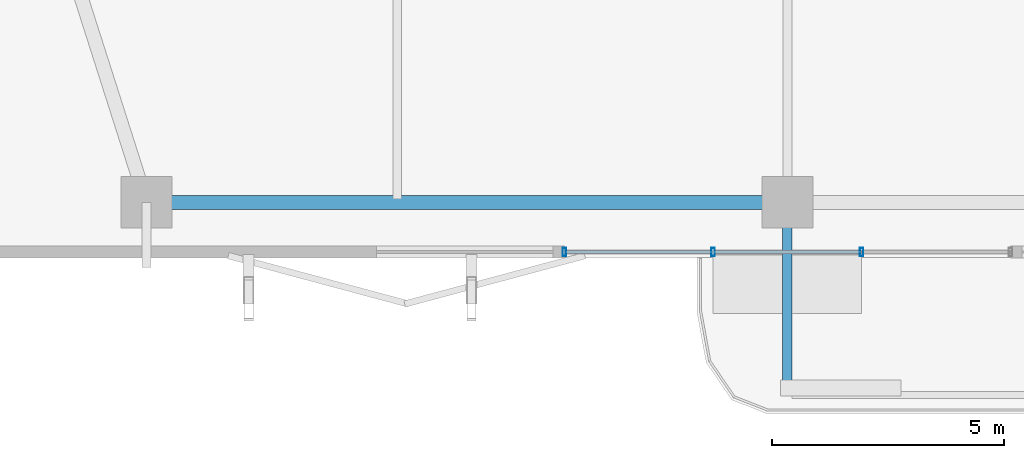
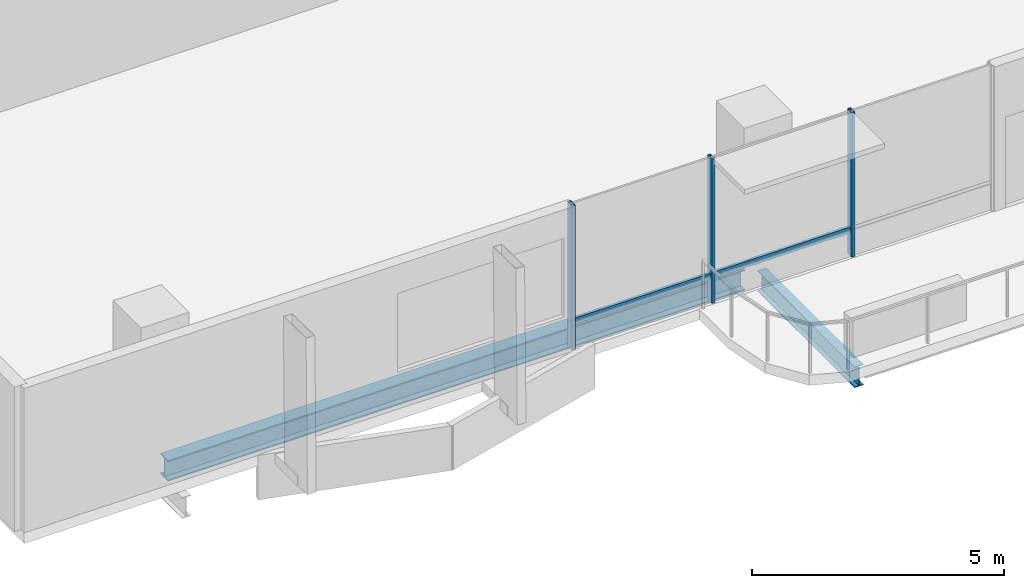
# One storey, part 2 of 25: 5 members, 2 beams, 1 element without a shape of its own.
"""IFC4 building model written with IfcOpenShell, lengths in metres."""

from ifc_helpers import new_model, si_unit, direction, frame, origin, origin_2d, place, context, subcontext, project, spatial, hollow_rectangle, i_section, extrude, material, layer, layer_set, material_profile, profile_set, type_object, element, aggregate, save


model = new_model("IFC4")

# Units and contexts
model_context = context("Model", 3, precision=1e-05, world=origin(), true_north=direction((0.0, 1.0)))
body_context = subcontext(model_context, "Body", "Model", "MODEL_VIEW")
ifc_project = project(units=[si_unit("LENGTHUNIT", "METRE"), si_unit("AREAUNIT", "SQUARE_METRE"), si_unit("VOLUMEUNIT", "CUBIC_METRE"), si_unit("PLANEANGLEUNIT", "RADIAN"), si_unit("MASSUNIT", "GRAM", prefix="KILO")], contexts=[model_context])

# Site, building, storey
site_placement = place(None, origin())
site = spatial("IfcSite", under=ifc_project, at=site_placement, CompositionType="ELEMENT")
building_placement = place(site_placement, origin())
building = spatial("IfcBuilding", under=site, at=building_placement, Name="Belovzor Exchange Tower", CompositionType="ELEMENT")
storey_placement = place(building_placement, frame((0.0, 0.0, 175.800048828125)))
storey = spatial("IfcBuildingStorey", under=building, at=storey_placement, Name="L43", CompositionType="ELEMENT", Elevation=175.800048828125)

# Beam
ifc_material_1 = material(Name="Steel S355", Category="steel")
ifc_material_profile_1 = material_profile(ifc_material_1, i_section(OverallWidth=0.199951171875, OverallDepth=0.5, WebThickness=0.01025390625, FlangeThickness=0.01611328125, at=origin_2d()))
ifc_profile_set_1 = profile_set([ifc_material_profile_1], Name="Steel S355")
beam_type_1 = type_object("IfcBeamType", Name="Planted Balcony Cantilever Beam IPE 500", PredefinedType="BEAM", material=ifc_profile_set_1)
beam_1_placement = place(storey_placement, frame((28.800048828125, 5.39697265625, -0.505126953125), z_axis=(0.0, -1.0, 0.0), x_axis=(1.0, 0.0, 0.0)))
element("IfcBeam", 1, at=beam_1_placement, inside=storey, type_object=beam_type_1, Name="BC-500 Planted Balcony Cantilever Beam IPE 500", PredefinedType="BEAM", context=body_context, shape_type="SweptSolid", body=[
    extrude(i_section(OverallWidth=0.199951171875, OverallDepth=0.5, WebThickness=0.01025390625, FlangeThickness=0.01611328125, at=origin_2d()), origin(), (0.0, 0.0, 1.0), 3.849853515625),
])

# Curtain wall, members
ifc_material_2 = material(Name="Anodised Aluminium Framing", Category="aluminium")
ifc_layer = layer(ifc_material_2, 0.179931640625)
ifc_layer_set = layer_set([ifc_layer], Name="Anodised Aluminium Framing")
curtain_wall_type = type_object("IfcCurtainWallType", Name="Recessed Loggia Low-Iron Triple-Glazed Curtain Wall", PredefinedType="NOTDEFINED", material=ifc_layer_set)
curtain_wall_placement = place(storey_placement, origin())
curtain_wall = element("IfcCurtainWall", 2, at=curtain_wall_placement, inside=storey, type_object=curtain_wall_type, Name="CW3 Recessed Loggia Low-Iron Triple-Glazed Curtain Wall L43", PredefinedType="NOTDEFINED")
ifc_material_3 = material(Name="Steel S355", Category="steel")
ifc_material_profile_2 = material_profile(ifc_material_3, hollow_rectangle(XDim=0.074951171875, YDim=0.179931640625, WallThickness=0.0048828125, at=origin_2d()))
ifc_profile_set_2 = profile_set([ifc_material_profile_2], Name="Steel S355")
member_type_1 = type_object("IfcMemberType", Name="Thermally Broken Curtain Wall Mullion 180x75", PredefinedType="MULLION", material=ifc_profile_set_2)
member_1_placement = place(storey_placement, frame((30.39990234375, 4.6298828125, 0.0), z_axis=(0.0, 0.0, 1.0), x_axis=(-1.0, 0.0, 0.0)))
member_1 = element("IfcMember", 3, at=member_1_placement, type_object=member_type_1, Name="CW-M180 Curtain Wall Mullion 2", PredefinedType="MULLION", context=body_context, shape_type="SweptSolid", body=[
    extrude(hollow_rectangle(XDim=0.074951171875, YDim=0.179931640625, WallThickness=0.0048828125, at=origin_2d()), origin(), (0.0, 0.0, 1.0), 3.494873046875),
])
member_2_placement = place(storey_placement, frame((27.199951171875, 4.6298828125, 0.0), z_axis=(0.0, 0.0, 1.0), x_axis=(-1.0, 0.0, 0.0)))
member_2 = element("IfcMember", 4, at=member_2_placement, type_object=member_type_1, Name="CW-M180 Curtain Wall Mullion 3", PredefinedType="MULLION", context=body_context, shape_type="SweptSolid", body=[
    extrude(hollow_rectangle(XDim=0.074951171875, YDim=0.179931640625, WallThickness=0.0048828125, at=origin_2d()), origin(), (0.0, 0.0, 1.0), 3.494873046875),
])
member_3_placement = place(storey_placement, frame((24.0, 4.6298828125, 0.0), z_axis=(0.0, 0.0, 1.0), x_axis=(-1.0, 0.0, 0.0)))
member_3 = element("IfcMember", 5, at=member_3_placement, type_object=member_type_1, Name="CW-M180 Curtain Wall Mullion 4", PredefinedType="MULLION", context=body_context, shape_type="SweptSolid", body=[
    extrude(hollow_rectangle(XDim=0.074951171875, YDim=0.179931640625, WallThickness=0.0048828125, at=origin_2d()), origin(), (0.0, 0.0, 1.0), 3.494873046875),
])
ifc_material_4 = material(Name="Steel S355", Category="steel")
ifc_material_profile_3 = material_profile(ifc_material_4, hollow_rectangle(XDim=0.06005859375, YDim=0.14990234375, WallThickness=0.00390625, at=origin_2d()))
ifc_profile_set_3 = profile_set([ifc_material_profile_3], Name="Steel S355")
member_type_2 = type_object("IfcMemberType", Name="Thermally Broken Curtain Wall Transom 150x60", PredefinedType="USERDEFINED", material=ifc_profile_set_3)
member_4_placement = place(storey_placement, frame((30.39208984375, 4.6298828125, 0.62890625), z_axis=(-1.0, 0.0, 0.0), x_axis=(0.0, -1.0, 0.0)))
member_4 = element("IfcMember", 6, at=member_4_placement, type_object=member_type_2, Name="CW-T150 Curtain Wall Transom 2", ObjectType="TRANSOM", PredefinedType="USERDEFINED", context=body_context, shape_type="SweptSolid", body=[
    extrude(hollow_rectangle(XDim=0.06005859375, YDim=0.14990234375, WallThickness=0.00390625, at=origin_2d()), origin(), (0.0, 0.0, 1.0), 3.18408203125),
])
member_5_placement = place(storey_placement, frame((27.19189453125, 4.6298828125, 0.62890625), z_axis=(-1.0, 0.0, 0.0), x_axis=(0.0, -1.0, 0.0)))
member_5 = element("IfcMember", 7, at=member_5_placement, type_object=member_type_2, Name="CW-T150 Curtain Wall Transom 3", ObjectType="TRANSOM", PredefinedType="USERDEFINED", context=body_context, shape_type="SweptSolid", body=[
    extrude(hollow_rectangle(XDim=0.06005859375, YDim=0.14990234375, WallThickness=0.00390625, at=origin_2d()), origin(), (0.0, 0.0, 1.0), 3.183837890625),
])
aggregate(curtain_wall, [member_1, member_2, member_3, member_4, member_5])

# Beam
ifc_material_5 = material(Name="Steel S355", Category="steel")
ifc_material_profile_4 = material_profile(ifc_material_5, i_section(OverallWidth=0.300048828125, OverallDepth=0.5, WebThickness=0.014404296875, FlangeThickness=0.028076171875, at=origin_2d()))
ifc_profile_set_4 = profile_set([ifc_material_profile_4], Name="Steel S355")
beam_type_2 = type_object("IfcBeamType", Name="Zone 3 Waist Primary Girder HEB 500", PredefinedType="BEAM", material=ifc_profile_set_4)
beam_2_placement = place(storey_placement, frame((15.302978515625, 5.699951171875, -0.505126953125), z_axis=(1.0, 0.0, 0.0), x_axis=(0.0, 1.0, 0.0)))
element("IfcBeam", 8, at=beam_2_placement, inside=storey, type_object=beam_type_2, Name="FG-Z3 Zone 3 Waist Primary Girder HEB 500", PredefinedType="BEAM", context=body_context, shape_type="SweptSolid", body=[
    extrude(i_section(OverallWidth=0.300048828125, OverallDepth=0.5, WebThickness=0.014404296875, FlangeThickness=0.028076171875, at=origin_2d()), origin(), (0.0, 0.0, 1.0), 13.195068359375),
])

save(model, "model.ifc")
